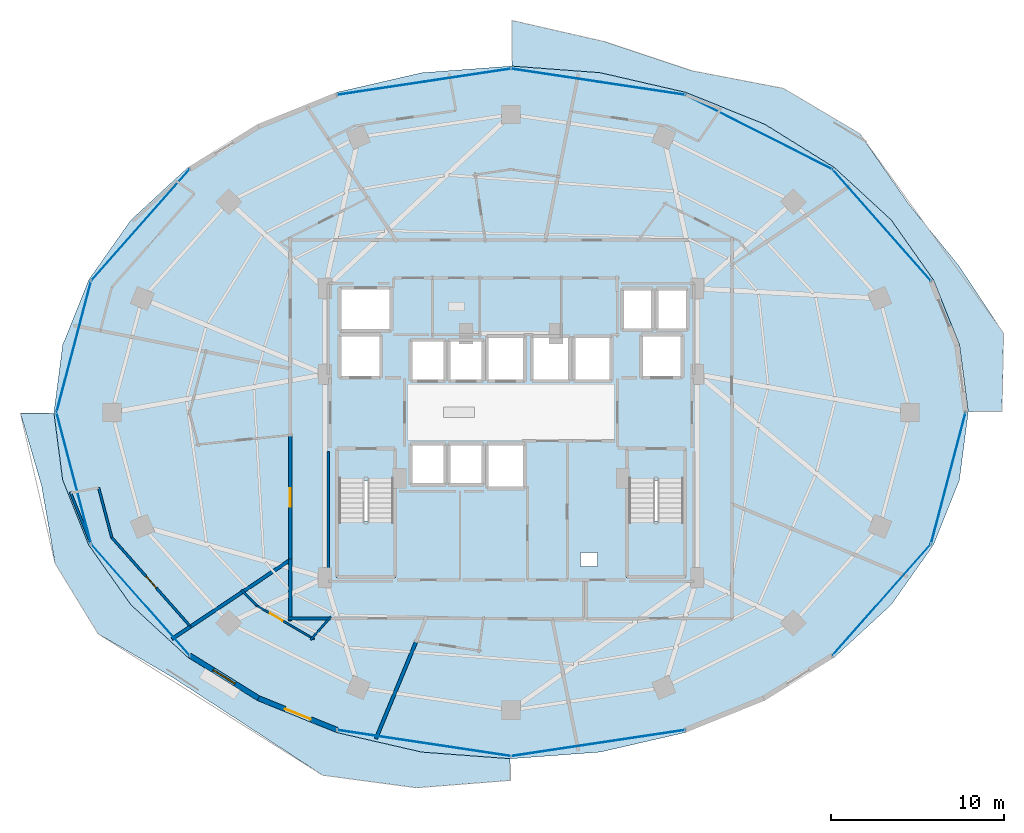
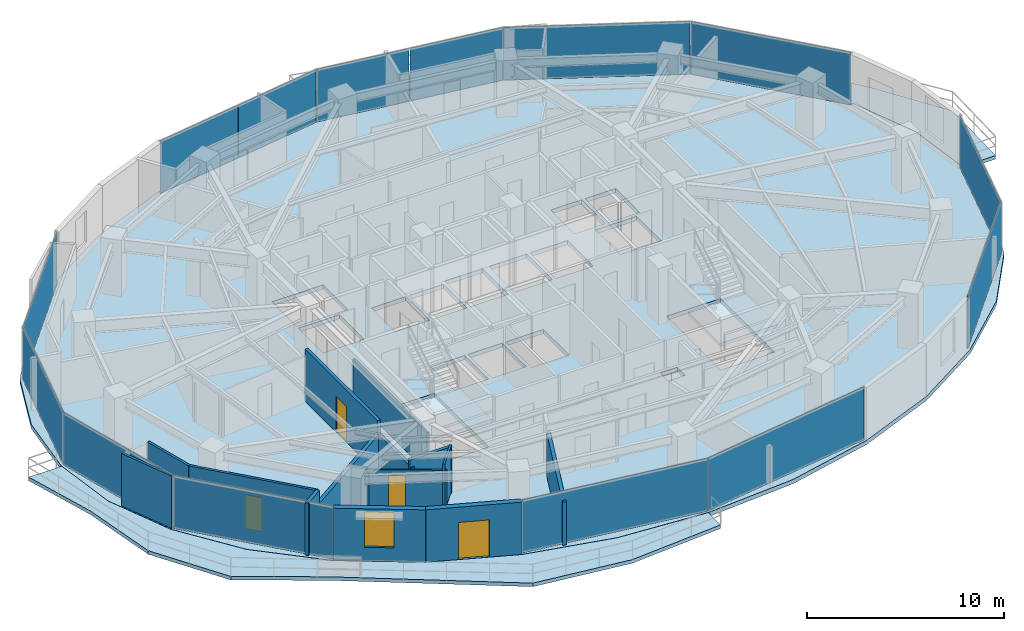
# One storey, part 21 of 29: 15 walls, 14 plates, 5 slabs, 4 doors, 1 window, 5 openings, 6 elements without a shape of their own.
"""IFC4 building model written with IfcOpenShell, lengths in metres."""

from ifc_helpers import new_model, si_unit, direction, frame, frame_2d, origin, origin_2d, place, context, subcontext, project, spatial, polyline, rectangle, outline, extrude, material, layer, layer_set, type_object, element, fill, aggregate, save


model = new_model("IFC4")

# Units and contexts
model_context = context("Model", 3, precision=1e-05, world=origin(), true_north=direction((0.0, 1.0)))
body_context = subcontext(model_context, "Body", "Model", "MODEL_VIEW")
ifc_project = project(units=[si_unit("LENGTHUNIT", "METRE"), si_unit("AREAUNIT", "SQUARE_METRE"), si_unit("VOLUMEUNIT", "CUBIC_METRE"), si_unit("PLANEANGLEUNIT", "RADIAN"), si_unit("MASSUNIT", "GRAM", prefix="KILO")], contexts=[model_context])

# Site, building, storey
site_placement = place(None, origin())
site = spatial("IfcSite", under=ifc_project, at=site_placement, CompositionType="ELEMENT")
building_placement = place(site_placement, origin())
building = spatial("IfcBuilding", under=site, at=building_placement, Name="Vorneva Point Tower", CompositionType="ELEMENT")
storey_placement = place(building_placement, frame((0.0, 0.0, 85.800048828125)))
storey = spatial("IfcBuildingStorey", under=building, at=storey_placement, Name="L22", CompositionType="ELEMENT", Elevation=85.800048828125)

# Curtain wall, plates
ifc_material_1 = material(Name="Pale anodised aluminium", Category="aluminium")
curtain_wall_type = type_object("IfcCurtainWallType", Name="CW-HTL-SYS", PredefinedType="NOTDEFINED", material=ifc_material_1)
curtain_wall_1_placement = place(storey_placement, origin())
curtain_wall_1 = element("IfcCurtainWall", 1, at=curtain_wall_1_placement, inside=storey, type_object=curtain_wall_type, Name="L22 Unitised Curtain Wall CW-L22-R01", PredefinedType="NOTDEFINED")
ifc_material_2 = material(Name="Double low-e laminated glass IGU", Category="glass")
ifc_layer_1 = layer(ifc_material_2, 0.035888671875)
ifc_layer_set_1 = layer_set([ifc_layer_1], Name="Double low-e laminated glass IGU")
plate_type = type_object("IfcPlateType", Name="CW-PNL-VIS", PredefinedType="CURTAIN_PANEL", material=ifc_layer_set_1)
plate_1_placement = place(storey_placement, frame((59.40673828125, 36.816162109375, -0.02001953125), z_axis=(0.0, 0.0, 1.0), x_axis=(-0.662149334693, 0.749371909379, 0.0)))
plate_1 = element("IfcPlate", 2, at=plate_1_placement, type_object=plate_type, Name="CW-L22-R01 Glazed Panel 01", PredefinedType="CURTAIN_PANEL", context=body_context, shape_type="SweptSolid", body=[
    extrude(rectangle(XDim=8.543701171875, YDim=0.035888671875, at=origin_2d()), origin(), (0.0, 0.0, 1.0), 3.280029296875),
])
plate_2_placement = place(storey_placement, frame((52.303466796875, 42.1875, -0.02001953125), z_axis=(0.0, 0.0, 1.0), x_axis=(-0.892538597772, 0.450971009585, 0.0)))
plate_2 = element("IfcPlate", 3, at=plate_2_placement, type_object=plate_type, Name="CW-L22-R01 Glazed Panel 02", PredefinedType="CURTAIN_PANEL", context=body_context, shape_type="SweptSolid", body=[
    extrude(rectangle(XDim=9.491455078125, YDim=0.035888671875, at=origin_2d()), origin(), (0.0, 0.0, 1.0), 3.280029296875),
])
plate_3_placement = place(storey_placement, frame((45.5341796875, 44.716796875, -0.02001953125), z_axis=(0.0, 0.0, 1.0), x_axis=(-0.988876117041, 0.148741470836, 0.0)))
plate_3 = element("IfcPlate", 4, at=plate_3_placement, type_object=plate_type, Name="CW-L22-R01 Glazed Panel 03A", PredefinedType="CURTAIN_PANEL", context=body_context, shape_type="SweptSolid", body=[
    extrude(rectangle(XDim=5.029296875, YDim=0.035888671875, at=origin_2d()), origin(), (0.0, 0.0, 1.0), 3.280029296875),
])
plate_4_placement = place(storey_placement, frame((40.511474609375, 45.472412109375, -0.02001953125), z_axis=(0.0, 0.0, 1.0), x_axis=(-0.988876117041, 0.148741470836, 0.0)))
plate_4 = element("IfcPlate", 5, at=plate_4_placement, type_object=plate_type, Name="CW-L22-R01 Glazed Panel 03B", PredefinedType="CURTAIN_PANEL", context=body_context, shape_type="SweptSolid", body=[
    extrude(rectangle(XDim=5.029296875, YDim=0.035888671875, at=origin_2d()), origin(), (0.0, 0.0, 1.0), 3.280029296875),
])
plate_5_placement = place(storey_placement, frame((35.488525390625, 45.472412109375, -0.02001953125), z_axis=(0.0, 0.0, 1.0), x_axis=(-0.988876117041, -0.148741470836, 0.0)))
plate_5 = element("IfcPlate", 6, at=plate_5_placement, type_object=plate_type, Name="CW-L22-R01 Glazed Panel 04A", PredefinedType="CURTAIN_PANEL", context=body_context, shape_type="SweptSolid", body=[
    extrude(rectangle(XDim=5.029296875, YDim=0.035888671875, at=origin_2d()), origin(), (0.0, 0.0, 1.0), 3.280029296875),
])
plate_6_placement = place(storey_placement, frame((30.4658203125, 44.716796875, -0.02001953125), z_axis=(0.0, 0.0, 1.0), x_axis=(-0.988876117041, -0.148741470836, 0.0)))
plate_6 = element("IfcPlate", 7, at=plate_6_placement, type_object=plate_type, Name="CW-L22-R01 Glazed Panel 04B", PredefinedType="CURTAIN_PANEL", context=body_context, shape_type="SweptSolid", body=[
    extrude(rectangle(XDim=5.029296875, YDim=0.035888671875, at=origin_2d()), origin(), (0.0, 0.0, 1.0), 3.280029296875),
])
aggregate(curtain_wall_1, [plate_1, plate_2, plate_3, plate_4, plate_5, plate_6])

curtain_wall_2_placement = place(storey_placement, origin())
curtain_wall_2 = element("IfcCurtainWall", 8, at=curtain_wall_2_placement, inside=storey, type_object=curtain_wall_type, Name="L22 Unitised Curtain Wall CW-L22-R02", PredefinedType="NOTDEFINED")
plate_7_placement = place(storey_placement, frame((16.59326171875, 36.816162109375, -0.02001953125), z_axis=(0.0, 0.0, 1.0), x_axis=(-0.662149334693, -0.749371909379, 0.0)))
plate_7 = element("IfcPlate", 9, at=plate_7_placement, type_object=plate_type, Name="CW-L22-R02 Glazed Panel 01", PredefinedType="CURTAIN_PANEL", context=body_context, shape_type="SweptSolid", body=[
    extrude(rectangle(XDim=8.543701171875, YDim=0.035888671875, at=origin_2d()), origin(), (0.0, 0.0, 1.0), 3.280029296875),
])
plate_8_placement = place(storey_placement, frame((12.7490234375, 29.798095703125, -0.02001953125), z_axis=(0.0, 0.0, 1.0), x_axis=(-0.254399404995, -0.967099241411, 0.0)))
plate_8 = element("IfcPlate", 10, at=plate_8_placement, type_object=plate_type, Name="CW-L22-R02 Glazed Panel 02", PredefinedType="CURTAIN_PANEL", context=body_context, shape_type="SweptSolid", body=[
    extrude(rectangle(XDim=7.8046875, YDim=0.035888671875, at=origin_2d()), origin(), (0.0, 0.0, 1.0), 3.280029296875),
])
plate_9_placement = place(storey_placement, frame((12.7490234375, 22.201904296875, -0.02001953125), z_axis=(0.0, 0.0, 1.0), x_axis=(0.254399404995, -0.967099241411, 0.0)))
plate_9 = element("IfcPlate", 11, at=plate_9_placement, type_object=plate_type, Name="CW-L22-R02 Glazed Panel 03", PredefinedType="CURTAIN_PANEL", context=body_context, shape_type="SweptSolid", body=[
    extrude(rectangle(XDim=7.8046875, YDim=0.035888671875, at=origin_2d()), origin(), (0.0, 0.0, 1.0), 3.280029296875),
])
plate_10_placement = place(storey_placement, frame((16.59326171875, 15.183837890625, -0.02001953125), z_axis=(0.0, 0.0, 1.0), x_axis=(0.662149334693, -0.749371909379, 0.0)))
plate_10 = element("IfcPlate", 12, at=plate_10_placement, type_object=plate_type, Name="CW-L22-R02 Glazed Panel 04", PredefinedType="CURTAIN_PANEL", context=body_context, shape_type="SweptSolid", body=[
    extrude(rectangle(XDim=8.543701171875, YDim=0.035888671875, at=origin_2d()), origin(), (0.0, 0.0, 1.0), 3.280029296875),
])
aggregate(curtain_wall_2, [plate_7, plate_8, plate_9, plate_10])

curtain_wall_3_placement = place(storey_placement, origin())
curtain_wall_3 = element("IfcCurtainWall", 13, at=curtain_wall_3_placement, inside=storey, type_object=curtain_wall_type, Name="L22 Unitised Curtain Wall CW-L22-R03", PredefinedType="NOTDEFINED")
plate_11_placement = place(storey_placement, frame((32.977294921875, 6.905517578125, -0.02001953125), z_axis=(0.0, 0.0, 1.0), x_axis=(0.988876117041, -0.148741470836, 0.0)))
plate_11 = element("IfcPlate", 14, at=plate_11_placement, type_object=plate_type, Name="CW-L22-R03 Glazed Panel 01", PredefinedType="CURTAIN_PANEL", context=body_context, shape_type="SweptSolid", body=[
    extrude(rectangle(XDim=10.1083984375, YDim=0.035888671875, at=origin_2d()), origin(), (0.0, 0.0, 1.0), 3.280029296875),
])
plate_12_placement = place(storey_placement, frame((43.022705078125, 6.905517578125, -0.02001953125), z_axis=(0.0, 0.0, 1.0), x_axis=(0.988876117041, 0.148741470836, 0.0)))
plate_12 = element("IfcPlate", 15, at=plate_12_placement, type_object=plate_type, Name="CW-L22-R03 Glazed Panel 02", PredefinedType="CURTAIN_PANEL", context=body_context, shape_type="SweptSolid", body=[
    extrude(rectangle(XDim=10.1083984375, YDim=0.035888671875, at=origin_2d()), origin(), (0.0, 0.0, 1.0), 3.280029296875),
])
aggregate(curtain_wall_3, [plate_11, plate_12])

curtain_wall_4_placement = place(storey_placement, origin())
curtain_wall_4 = element("IfcCurtainWall", 16, at=curtain_wall_4_placement, inside=storey, type_object=curtain_wall_type, Name="L22 Unitised Curtain Wall CW-L22-R04", PredefinedType="NOTDEFINED")
plate_13_placement = place(storey_placement, frame((59.40673828125, 15.183837890625, -0.02001953125), z_axis=(0.0, 0.0, 1.0), x_axis=(0.662149334693, 0.749371909379, 0.0)))
plate_13 = element("IfcPlate", 17, at=plate_13_placement, type_object=plate_type, Name="CW-L22-R04 Glazed Panel 01", PredefinedType="CURTAIN_PANEL", context=body_context, shape_type="SweptSolid", body=[
    extrude(rectangle(XDim=8.543701171875, YDim=0.035888671875, at=origin_2d()), origin(), (0.0, 0.0, 1.0), 3.280029296875),
])
plate_14_placement = place(storey_placement, frame((63.2509765625, 22.201904296875, -0.02001953125), z_axis=(0.0, 0.0, 1.0), x_axis=(0.254399404995, 0.967099241411, 0.0)))
plate_14 = element("IfcPlate", 18, at=plate_14_placement, type_object=plate_type, Name="CW-L22-R04 Glazed Panel 02", PredefinedType="CURTAIN_PANEL", context=body_context, shape_type="SweptSolid", body=[
    extrude(rectangle(XDim=7.8046875, YDim=0.035888671875, at=origin_2d()), origin(), (0.0, 0.0, 1.0), 3.280029296875),
])
aggregate(curtain_wall_4, [plate_13, plate_14])

# Slabs
ifc_material_3 = material(Name="Concrete B50 (C40/50)", Category="concrete")
ifc_layer_2 = layer(ifc_material_3, 0.219970703125)
ifc_layer_set_2 = layer_set([ifc_layer_2], Name="Concrete B50 (C40/50)")
slab_type_1 = type_object("IfcSlabType", Name="SLB-BAL-220", PredefinedType="FLOOR", material=ifc_layer_set_2)
slab_1_placement = place(storey_placement, frame((0.0, 0.0, -0.219970703125)))
element("IfcSlab", 19, at=slab_1_placement, inside=storey, type_object=slab_type_1, Name="L22 Cantilevered Wave Balcony NE", PredefinedType="FLOOR", context=body_context, shape_type="SweptSolid", body=[
    extrude(outline(polyline([(38.050048828125, 48.638671875), (38.050048828125, 46.000244140625), (43.150634765625, 45.61962890625), (43.15087890625, 45.61962890625), (43.1513671875, 45.61962890625), (48.103759765625, 44.4814453125), (48.10400390625, 44.4814453125), (48.104248046875, 44.481201171875), (52.668701171875, 42.633056640625), (52.6689453125, 42.633056640625), (52.669189453125, 42.6328125), (56.669677734375, 40.1455078125), (56.669921875, 40.145263671875), (56.67041015625, 40.14501953125), (59.95361328125, 37.1142578125), (59.953857421875, 37.114013671875), (59.9541015625, 37.11376953125), (62.393798828125, 33.656005859375), (62.393798828125, 33.655517578125), (62.39404296875, 33.6552734375), (63.896484375, 29.9033203125), (63.896484375, 29.903076171875), (63.896484375, 29.902587890625), (63.896728515625, 29.90234375), (64.3974609375, 26.050048828125), (66.35107421875, 26.050048828125), (66.44287109375, 30.5712890625), (63.8662109375, 34.460693359375), (60.976806640625, 38.016357421875), (58.14404296875, 42.091064453125), (53.723388671875, 44.71630859375), (48.4931640625, 45.72119140625), (43.420654296875, 47.408935546875), (38.050048828125, 48.638671875)])), origin(), (0.0, 0.0, 1.0), 0.219970703125),
])
slab_2_placement = place(storey_placement, frame((0.0, 0.0, -0.219970703125)))
element("IfcSlab", 20, at=slab_2_placement, inside=storey, type_object=slab_type_1, Name="L22 Cantilevered Wave Balcony SW", PredefinedType="FLOOR", context=body_context, shape_type="SweptSolid", body=[
    extrude(outline(polyline([(37.949951171875, 4.74609375), (37.949951171875, 5.999755859375), (32.849365234375, 6.38037109375), (32.84912109375, 6.38037109375), (32.8486328125, 6.38037109375), (27.896240234375, 7.5185546875), (27.89599609375, 7.5185546875), (27.895751953125, 7.518798828125), (23.331298828125, 9.366943359375), (23.3310546875, 9.366943359375), (23.330810546875, 9.3671875), (19.330322265625, 11.8544921875), (19.330078125, 11.854736328125), (19.32958984375, 11.85498046875), (16.04638671875, 14.8857421875), (16.046142578125, 14.885986328125), (16.0458984375, 14.88623046875), (13.606201171875, 18.343994140625), (13.606201171875, 18.344482421875), (13.60595703125, 18.3447265625), (12.103515625, 22.0966796875), (12.103515625, 22.096923828125), (12.103515625, 22.097412109375), (12.103271484375, 22.09765625), (11.6025390625, 25.949951171875), (9.66455078125, 25.949951171875), (10.88525390625, 21.77734375), (11.66357421875, 17.2822265625), (14.150390625, 13.213623046875), (18.453857421875, 10.697998046875), (22.6279296875, 7.977783203125), (27.11962890625, 5.044921875), (32.538818359375, 4.321044921875), (37.949951171875, 4.74609375)])), origin(), (0.0, 0.0, 1.0), 0.219970703125),
])

# Stair, slab
stair_type = type_object("IfcStairType", Name="ST-DOG-1500", PredefinedType="HALF_TURN_STAIR", material=ifc_material_3)
stair_1_placement = place(storey_placement, origin())
stair_1 = element("IfcStair", 21, at=stair_1_placement, inside=storey, type_object=stair_type, Name="L22 ST1", PredefinedType="HALF_TURN_STAIR")
ifc_layer_3 = layer(ifc_material_3, 0.199951171875)
ifc_layer_set_3 = layer_set([ifc_layer_3], Name="Concrete B50 (C40/50)")
slab_type_2 = type_object("IfcSlabType", Name="SLB-LND-200", PredefinedType="LANDING", material=ifc_layer_set_3)
slab_3_placement = place(storey_placement, frame((0.0, 0.0, 1.550048828125)))
slab_3 = element("IfcSlab", 22, at=slab_3_placement, type_object=slab_type_2, Name="ST1 landing 1", PredefinedType="LANDING", context=body_context, shape_type="SweptSolid", body=[
    extrude(outline(polyline([(27.929931640625, 16.47998046875), (31.320068359375, 16.47998046875), (31.320068359375, 19.72998046875), (27.929931640625, 19.72998046875), (27.929931640625, 16.47998046875)])), origin(), (0.0, 0.0, 1.0), 0.199951171875),
])
aggregate(stair_1, [slab_3])

stair_2_placement = place(storey_placement, origin())
stair_2 = element("IfcStair", 23, at=stair_2_placement, inside=storey, type_object=stair_type, Name="L22 ST2", PredefinedType="HALF_TURN_STAIR")
slab_4_placement = place(storey_placement, frame((0.0, 0.0, 1.550048828125)))
slab_4 = element("IfcSlab", 24, at=slab_4_placement, type_object=slab_type_2, Name="ST2 landing 1", PredefinedType="LANDING", context=body_context, shape_type="SweptSolid", body=[
    extrude(outline(polyline([(44.679931640625, 16.47998046875), (48.070068359375, 16.47998046875), (48.070068359375, 19.72998046875), (44.679931640625, 19.72998046875), (44.679931640625, 16.47998046875)])), origin(), (0.0, 0.0, 1.0), 0.199951171875),
])
aggregate(stair_2, [slab_4])

# Slab
ifc_layer_4 = layer(ifc_material_3, 0.260009765625)
ifc_layer_set_4 = layer_set([ifc_layer_4], Name="Concrete B50 (C40/50)")
slab_type_3 = type_object("IfcSlabType", Name="SLB-TYP-260", PredefinedType="FLOOR", material=ifc_layer_set_4)
slab_5_placement = place(storey_placement, frame((0.0, 0.0, -0.260009765625)))
element("IfcSlab", 25, at=slab_5_placement, inside=storey, type_object=slab_type_3, Name="L22 Structural Floor Plate", PredefinedType="FLOOR", context=body_context, shape_type="SweptSolid", body=[
    extrude(outline(polyline([(64.39990234375, 26.0), (63.892578125, 29.90185546875), (62.390380859375, 33.65380859375), (59.95068359375, 37.111328125), (56.66748046875, 40.14208984375), (52.6669921875, 42.62939453125), (48.102783203125, 44.4775390625), (43.150390625, 45.61572265625), (38.0, 46.0), (32.849609375, 45.61572265625), (27.897216796875, 44.4775390625), (23.3330078125, 42.62939453125), (19.33251953125, 40.14208984375), (16.04931640625, 37.111328125), (13.609619140625, 33.65380859375), (12.107421875, 29.90185546875), (11.60009765625, 26.0), (12.107421875, 22.09814453125), (13.609619140625, 18.34619140625), (16.04931640625, 14.888671875), (19.33251953125, 11.85791015625), (23.3330078125, 9.37060546875), (27.897216796875, 7.5224609375), (32.849609375, 6.38427734375), (38.0, 6.0), (43.150390625, 6.38427734375), (48.102783203125, 7.5224609375), (52.6669921875, 9.37060546875), (56.66748046875, 11.85791015625), (59.95068359375, 14.888671875), (62.390380859375, 18.34619140625), (63.892578125, 22.09814453125), (64.39990234375, 26.0)]), holes=[polyline([(32.199951171875, 27.800048828125), (34.199951171875, 27.800048828125), (34.199951171875, 30.199951171875), (32.199951171875, 30.199951171875), (32.199951171875, 27.800048828125)]), polyline([(34.39990234375, 27.800048828125), (36.39990234375, 27.800048828125), (36.39990234375, 30.199951171875), (34.39990234375, 30.199951171875), (34.39990234375, 27.800048828125)]), polyline([(36.60009765625, 27.800048828125), (38.800048828125, 27.800048828125), (38.800048828125, 30.39990234375), (36.60009765625, 30.39990234375), (36.60009765625, 27.800048828125)]), polyline([(32.199951171875, 21.800048828125), (34.199951171875, 21.800048828125), (34.199951171875, 24.199951171875), (32.199951171875, 24.199951171875), (32.199951171875, 21.800048828125)]), polyline([(34.39990234375, 21.800048828125), (36.39990234375, 21.800048828125), (36.39990234375, 24.199951171875), (34.39990234375, 24.199951171875), (34.39990234375, 21.800048828125)]), polyline([(36.60009765625, 21.60009765625), (38.800048828125, 21.60009765625), (38.800048828125, 24.199951171875), (36.60009765625, 24.199951171875), (36.60009765625, 21.60009765625)]), polyline([(39.199951171875, 27.800048828125), (41.39990234375, 27.800048828125), (41.39990234375, 30.39990234375), (39.199951171875, 30.39990234375), (39.199951171875, 27.800048828125)]), polyline([(41.60009765625, 27.800048828125), (43.800048828125, 27.800048828125), (43.800048828125, 30.39990234375), (41.60009765625, 30.39990234375), (41.60009765625, 27.800048828125)]), polyline([(44.39990234375, 30.739990234375), (46.199951171875, 30.739990234375), (46.199951171875, 33.159912109375), (44.39990234375, 33.159912109375), (44.39990234375, 30.739990234375)]), polyline([(46.39990234375, 30.739990234375), (48.199951171875, 30.739990234375), (48.199951171875, 33.159912109375), (46.39990234375, 33.159912109375), (46.39990234375, 30.739990234375)]), polyline([(28.10009765625, 28.0), (30.5, 28.0), (30.5, 30.5), (28.10009765625, 30.5), (28.10009765625, 28.0)]), polyline([(45.5, 28.0), (47.89990234375, 28.0), (47.89990234375, 30.5), (45.5, 30.5), (45.5, 28.0)]), polyline([(28.10009765625, 30.699951171875), (31.10009765625, 30.699951171875), (31.10009765625, 33.199951171875), (28.10009765625, 33.199951171875), (28.10009765625, 30.699951171875)]), polyline([(28.050048828125, 16.60009765625), (31.199951171875, 16.60009765625), (31.199951171875, 22.080078125), (28.050048828125, 22.080078125), (28.050048828125, 16.60009765625)]), polyline([(44.800048828125, 16.60009765625), (47.949951171875, 16.60009765625), (47.949951171875, 22.080078125), (44.800048828125, 22.080078125), (44.800048828125, 16.60009765625)]), polyline([(42.0, 17.10009765625), (43.0, 17.10009765625), (43.0, 17.89990234375), (42.0, 17.89990234375), (42.0, 17.10009765625)])]), origin(), (0.0, 0.0, 1.0), 0.260009765625),
])

# Wall, opening, window
ifc_material_4 = material(Name="Precast concrete B50 (C40/50)", Category="concrete")
ifc_layer_5 = layer(ifc_material_4, 0.300048828125)
ifc_layer_set_5 = layer_set([ifc_layer_5], Name="Precast concrete B50 (C40/50)")
wall_type_1 = type_object("IfcWallType", Name="WL-EXT-300", PredefinedType="STANDARD", material=ifc_layer_set_5)
wall_1_placement = place(storey_placement, frame((19.4384765625, 11.9638671875, 0.0), z_axis=(0.0, 0.0, 1.0), x_axis=(0.849684479743, -0.527291461038, 0.0)))
wall_1 = element("IfcWall", 26, at=wall_1_placement, inside=storey, type_object=wall_type_1, Name="L22 Pale-Metal Facade Spandrel Wall 11.1", PredefinedType="STANDARD", context=body_context, shape_type="SweptSolid", body=[
    extrude(rectangle(XDim=4.681396484375, YDim=0.300048828125, at=frame_2d((2.3408203125, 0.0))), origin(), (0.0, 0.0, 1.0), 3.239990234375),
])
opening_1_placement = place(wall_1_placement, frame((1.5908203125, 0.0, 0.85009765625)))
opening_1 = element("IfcOpeningElement", 27, at=opening_1_placement, cuts=wall_1, Name="Opening W-02", PredefinedType="OPENING", context=body_context, shape_type="SweptSolid", body=[
    extrude(rectangle(XDim=1.5, YDim=2.18994140625, at=frame_2d((0.75, 1.094970703125))), frame((0.0, 0.1650390625, 0.0), z_axis=(0.0, -1.0, 0.0), x_axis=(1.0, 0.0, 0.0)), (0.0, 0.0, 1.0), 0.329833984375),
])
window_type = type_object("IfcWindowType", Name="WN-HTL-1500", PartitioningType="SINGLE_PANEL", PredefinedType="WINDOW", material=ifc_material_2)
window_placement = place(opening_1_placement, origin())
window = element("IfcWindow", 28, at=window_placement, inside=storey, type_object=window_type, Name="L22 Facade Window 11", OverallHeight=2.18994140625, OverallWidth=1.5, PartitioningType="SINGLE_PANEL", PredefinedType="WINDOW", context=body_context, shape_type="SweptSolid", body=[
    extrude(rectangle(XDim=1.5, YDim=2.18994140625, at=frame_2d((0.75, 1.094970703125))), frame((0.0, 0.030029296875, 0.0), z_axis=(0.0, -1.0, 0.0), x_axis=(1.0, 0.0, 0.0)), (0.0, 0.0, 1.0), 0.06005859375),
])
fill(opening_1, window)

# Wall, opening, door
wall_2_placement = place(storey_placement, frame((23.416259765625, 9.495361328125, 0.0), z_axis=(0.0, 0.0, 1.0), x_axis=(0.927122233109, -0.374759075775, 0.0)))
wall_2 = element("IfcWall", 29, at=wall_2_placement, inside=storey, type_object=wall_type_1, Name="L22 Pale-Metal Facade Spandrel Wall 11.2", PredefinedType="STANDARD", context=body_context, shape_type="SweptSolid", body=[
    extrude(rectangle(XDim=4.89501953125, YDim=0.300048828125, at=frame_2d((2.447509765625, 0.0))), origin(), (0.0, 0.0, 1.0), 3.239990234375),
])
opening_2_placement = place(wall_2_placement, frame((1.6474609375, 0.0, 0.0)))
opening_2 = element("IfcOpeningElement", 30, at=opening_2_placement, cuts=wall_2, Name="Opening BD-01", PredefinedType="OPENING", context=body_context, shape_type="SweptSolid", body=[
    extrude(rectangle(XDim=1.60009765625, YDim=2.300048828125, at=frame_2d((0.800048828125, 1.14990234375))), frame((0.0, 0.1650390625, 0.0), z_axis=(0.0, -1.0, 0.0), x_axis=(1.0, 0.0, 0.0)), (0.0, 0.0, 1.0), 0.329833984375),
])
door_type_1 = type_object("IfcDoorType", Name="DR-BAL-1600", OperationType="SLIDING_TO_LEFT", PredefinedType="DOOR", material=ifc_material_1)
door_1_placement = place(opening_2_placement, origin())
door_1 = element("IfcDoor", 31, at=door_1_placement, inside=storey, type_object=door_type_1, Name="L22 Balcony Terrace Access Door 11", OperationType="SLIDING_TO_LEFT", OverallHeight=2.300048828125, OverallWidth=1.60009765625, PredefinedType="DOOR", context=body_context, shape_type="SweptSolid", body=[
    extrude(rectangle(XDim=1.60009765625, YDim=2.300048828125, at=frame_2d((0.800048828125, 1.14990234375))), frame((0.0, 0.02490234375, 0.0), z_axis=(0.0, -1.0, 0.0), x_axis=(1.0, 0.0, 0.0)), (0.0, 0.0, 1.0), 0.050048828125),
])
fill(opening_2, door_1)

# Wall
ifc_material_5 = material(Name="Fire-rated acoustic gypsum stud partition", Category="gypsum")
ifc_layer_6 = layer(ifc_material_5, 0.110107421875)
ifc_layer_set_6 = layer_set([ifc_layer_6], Name="Fire-rated acoustic gypsum stud partition")
wall_type_2 = type_object("IfcWallType", Name="WL-PART-110", PredefinedType="PARTITIONING", material=ifc_layer_set_6)
wall_3_placement = place(storey_placement, frame((27.6015625, 14.205078125, 0.0), z_axis=(0.0, 0.0, 1.0), x_axis=(-0.661454172329, -0.749985585134, 0.0)))
element("IfcWall", 32, at=wall_3_placement, inside=storey, type_object=wall_type_2, Name="L22 Interior Partition 083", PredefinedType="PARTITIONING", context=body_context, shape_type="SweptSolid", body=[
    extrude(rectangle(XDim=1.7841796875, YDim=0.110107421875, at=frame_2d((0.89208984375, 0.0))), origin(), (0.0, 0.0, 1.0), 2.8740234375),
])

# Wall, opening, door
wall_4_placement = place(storey_placement, frame((26.634765625, 12.9013671875, 0.0), z_axis=(0.0, 0.0, 1.0), x_axis=(-0.863173900656, 0.504906741117, 0.0)))
wall_4 = element("IfcWall", 33, at=wall_4_placement, inside=storey, type_object=wall_type_2, Name="L22 Interior Partition 084", PredefinedType="PARTITIONING", context=body_context, shape_type="SweptSolid", body=[
    extrude(rectangle(XDim=3.955810546875, YDim=0.110107421875, at=frame_2d((1.97802734375, 0.0))), origin(), (0.0, 0.0, 1.0), 2.431884765625),
])
opening_3_placement = place(wall_4_placement, frame((2.11279296875, 0.0, 0.0)))
opening_3 = element("IfcOpeningElement", 34, at=opening_3_placement, cuts=wall_4, Name="Opening ID-02", PredefinedType="OPENING", context=body_context, shape_type="SweptSolid", body=[
    extrude(rectangle(XDim=0.85009765625, YDim=2.10009765625, at=frame_2d((0.425048828125, 1.050048828125))), frame((0.0, 0.06982421875, 0.0), z_axis=(0.0, -1.0, 0.0), x_axis=(1.0, 0.0, 0.0)), (0.0, 0.0, 1.0), 0.139892578125),
])
ifc_material_6 = material(Name="Engineered oak fire-rated door leaf", Category="wood")
door_type_2 = type_object("IfcDoorType", Name="DR-BATH-850", OperationType="NOTDEFINED", PredefinedType="DOOR", material=ifc_material_6)
door_2_placement = place(opening_3_placement, origin())
door_2 = element("IfcDoor", 35, at=door_2_placement, inside=storey, type_object=door_type_2, Name="L22 Door Deluxe Guest Room L22-05 / En-Suite Bathroom L22-05", OperationType="SINGLE_SWING_LEFT", OverallHeight=2.10009765625, OverallWidth=0.85009765625, PredefinedType="DOOR", context=body_context, shape_type="SweptSolid", body=[
    extrude(rectangle(XDim=0.85009765625, YDim=2.10009765625, at=frame_2d((0.425048828125, 1.050048828125))), frame((0.0, 0.02490234375, 0.0), z_axis=(0.0, -1.0, 0.0), x_axis=(1.0, 0.0, 0.0)), (0.0, 0.0, 1.0), 0.050048828125),
])
fill(opening_3, door_2)

# Walls
wall_5_placement = place(storey_placement, frame((23.337890625, 14.831298828125, 0.0), z_axis=(0.0, 0.0, 1.0), x_axis=(-0.709817225963, 0.70438590682, 0.0)))
element("IfcWall", 36, at=wall_5_placement, inside=storey, type_object=wall_type_2, Name="L22 Interior Partition 085", PredefinedType="PARTITIONING", context=body_context, shape_type="SweptSolid", body=[
    extrude(rectangle(XDim=1.303466796875, YDim=0.110107421875, at=frame_2d((0.65185546875, 0.0))), origin(), (0.0, 0.0, 1.0), 2.431884765625),
])
ifc_layer_7 = layer(ifc_material_5, 0.139892578125)
ifc_layer_set_7 = layer_set([ifc_layer_7], Name="Fire-rated acoustic gypsum stud partition")
wall_type_3 = type_object("IfcWallType", Name="WL-PART-140", PredefinedType="PARTITIONING", material=ifc_layer_set_7)
wall_6_placement = place(storey_placement, frame((12.5439453125, 21.410888671875, 0.0), z_axis=(0.0, 0.0, 1.0), x_axis=(0.371612636283, -0.928387876135, 0.0)))
element("IfcWall", 37, at=wall_6_placement, inside=storey, type_object=wall_type_3, Name="L22 Interior Partition 077", PredefinedType="PARTITIONING", context=body_context, shape_type="SweptSolid", body=[
    extrude(rectangle(XDim=3.223876953125, YDim=0.139892578125, at=frame_2d((1.61181640625, 0.0))), origin(), (0.0, 0.0, 1.0), 3.239990234375),
])
wall_7_placement = place(storey_placement, frame((14.18408203125, 21.64990234375, 0.0), z_axis=(0.0, 0.0, 1.0), x_axis=(0.254347718415, -0.9671128363, 0.0)))
element("IfcWall", 38, at=wall_7_placement, inside=storey, type_object=wall_type_3, Name="L22 Interior Partition 079", PredefinedType="PARTITIONING", context=body_context, shape_type="SweptSolid", body=[
    extrude(rectangle(XDim=2.9716796875, YDim=0.139892578125, at=frame_2d((1.48583984375, 0.0))), origin(), (0.0, 0.0, 1.0), 3.239990234375),
])

# Wall, opening, door
wall_8_placement = place(storey_placement, frame((14.93994140625, 18.77587890625, 0.0), z_axis=(0.0, 0.0, 1.0), x_axis=(0.662156478246, -0.749365597233, 0.0)))
wall_8 = element("IfcWall", 39, at=wall_8_placement, inside=storey, type_object=wall_type_3, Name="L22 Interior Partition 080", PredefinedType="PARTITIONING", context=body_context, shape_type="SweptSolid", body=[
    extrude(rectangle(XDim=6.8671875, YDim=0.139892578125, at=frame_2d((3.43359375, 0.0))), origin(), (0.0, 0.0, 1.0), 3.239990234375),
])
opening_4_placement = place(wall_8_placement, frame((2.9833984375, 0.0, 0.0)))
opening_4 = element("IfcOpeningElement", 40, at=opening_4_placement, cuts=wall_8, Name="Opening ID-01", PredefinedType="OPENING", context=body_context, shape_type="SweptSolid", body=[
    extrude(rectangle(XDim=0.89990234375, YDim=2.10009765625, at=frame_2d((0.449951171875, 1.050048828125))), frame((0.0, 0.0849609375, 0.0), z_axis=(0.0, -1.0, 0.0), x_axis=(1.0, 0.0, 0.0)), (0.0, 0.0, 1.0), 0.169677734375),
])
door_type_3 = type_object("IfcDoorType", Name="DR-ROOM-900", OperationType="NOTDEFINED", PredefinedType="DOOR", material=ifc_material_6)
door_3_placement = place(opening_4_placement, origin())
door_3 = element("IfcDoor", 41, at=door_3_placement, inside=storey, type_object=door_type_3, Name="L22 Door Corner Suite L22-04 / Suite Sitting Study L22-04", OperationType="SINGLE_SWING_RIGHT", OverallHeight=2.10009765625, OverallWidth=0.89990234375, PredefinedType="DOOR", context=body_context, shape_type="SweptSolid", body=[
    extrude(rectangle(XDim=0.89990234375, YDim=2.10009765625, at=frame_2d((0.449951171875, 1.050048828125))), frame((0.0, 0.02490234375, 0.0), z_axis=(0.0, -1.0, 0.0), x_axis=(1.0, 0.0, 0.0)), (0.0, 0.0, 1.0), 0.050048828125),
])
fill(opening_4, door_3)

# Wall
wall_9_placement = place(storey_placement, frame((27.449951171875, 16.239990234375, 0.0), z_axis=(0.0, 0.0, 1.0), x_axis=(0.0, 1.0, 0.0)))
element("IfcWall", 42, at=wall_9_placement, inside=storey, type_object=wall_type_3, Name="L22 Interior Closure Partition 106", PredefinedType="PARTITIONING", context=body_context, shape_type="SweptSolid", body=[
    extrude(rectangle(XDim=7.513916015625, YDim=0.139892578125, at=frame_2d((3.7568359375, 0.0))), origin(), (0.0, 0.0, 1.0), 2.431884765625),
])

# Wall, opening, door
ifc_material_7 = material(Name="Autoclaved aerated concrete blockwork", Category="masonry")
ifc_layer_8 = layer(ifc_material_7, 0.179931640625)
ifc_layer_set_8 = layer_set([ifc_layer_8], Name="Autoclaved aerated concrete blockwork")
wall_type_4 = type_object("IfcWallType", Name="WL-PART-180", PredefinedType="PARTITIONING", material=ifc_layer_set_8)
wall_10_placement = place(storey_placement, frame((25.25, 24.75390625, 0.0), z_axis=(0.0, 0.0, 1.0), x_axis=(0.0, -1.0, 0.0)))
wall_10 = element("IfcWall", 43, at=wall_10_placement, inside=storey, type_object=wall_type_4, Name="L22 Interior Partition 032", PredefinedType="PARTITIONING", context=body_context, shape_type="SweptSolid", body=[
    extrude(rectangle(XDim=7.344970703125, YDim=0.179931640625, at=frame_2d((3.67236328125, 0.0))), origin(), (0.0, 0.0, 1.0), 3.239990234375),
])
opening_5_placement = place(wall_10_placement, frame((3.1474609375, 0.0, 0.0)))
opening_5 = element("IfcOpeningElement", 44, at=opening_5_placement, cuts=wall_10, Name="Opening UD-02", PredefinedType="OPENING", context=body_context, shape_type="SweptSolid", body=[
    extrude(rectangle(XDim=1.050048828125, YDim=2.199951171875, at=frame_2d((0.52490234375, 1.10009765625))), frame((0.0, 0.10498046875, 0.0), z_axis=(0.0, -1.0, 0.0), x_axis=(1.0, 0.0, 0.0)), (0.0, 0.0, 1.0), 0.209716796875),
])
door_type_4 = type_object("IfcDoorType", Name="DR-SUITE-1050", OperationType="NOTDEFINED", PredefinedType="DOOR", material=ifc_material_6)
door_4_placement = place(opening_5_placement, origin())
door_4 = element("IfcDoor", 45, at=door_4_placement, inside=storey, type_object=door_type_4, Name="L22 Door L22 Circulation Corridor / Corner Suite L22-04", OperationType="SINGLE_SWING_RIGHT", OverallHeight=2.199951171875, OverallWidth=1.050048828125, PredefinedType="DOOR", context=body_context, shape_type="SweptSolid", body=[
    extrude(rectangle(XDim=1.050048828125, YDim=2.199951171875, at=frame_2d((0.52490234375, 1.10009765625))), frame((0.0, 0.02490234375, 0.0), z_axis=(0.0, -1.0, 0.0), x_axis=(1.0, 0.0, 0.0)), (0.0, 0.0, 1.0), 0.050048828125),
])
fill(opening_5, door_4)

# Walls
wall_11_placement = place(storey_placement, frame((25.25, 17.549072265625, 0.0), z_axis=(0.0, 0.0, 1.0), x_axis=(0.0, -1.0, 0.0)))
element("IfcWall", 46, at=wall_11_placement, inside=storey, type_object=wall_type_4, Name="L22 Interior Partition 035", PredefinedType="PARTITIONING", context=body_context, shape_type="SweptSolid", body=[
    extrude(rectangle(XDim=3.589111328125, YDim=0.179931640625, at=frame_2d((1.79443359375, 0.0))), origin(), (0.0, 0.0, 1.0), 2.431884765625),
])
wall_12_placement = place(storey_placement, frame((25.110107421875, 14.10009765625, 0.0), z_axis=(0.0, 0.0, 1.0), x_axis=(1.0, 0.0, 0.0)))
element("IfcWall", 47, at=wall_12_placement, inside=storey, type_object=wall_type_4, Name="L22 Interior Partition 036", PredefinedType="PARTITIONING", context=body_context, shape_type="SweptSolid", body=[
    extrude(rectangle(XDim=2.458984375, YDim=0.179931640625, at=frame_2d((1.2294921875, 0.0))), origin(), (0.0, 0.0, 1.0), 2.8740234375),
])
ifc_layer_9 = layer(ifc_material_7, 0.199951171875)
ifc_layer_set_9 = layer_set([ifc_layer_9], Name="Autoclaved aerated concrete blockwork")
wall_type_5 = type_object("IfcWallType", Name="WL-PART-200", PredefinedType="PARTITIONING", material=ifc_layer_set_9)
wall_13_placement = place(storey_placement, frame((19.487060546875, 13.6298828125, 0.0), z_axis=(0.0, 0.0, 1.0), x_axis=(0.831442874018, 0.555610247607, 0.0)))
element("IfcWall", 48, at=wall_13_placement, inside=storey, type_object=wall_type_5, Name="L22 Interior Partition 081", PredefinedType="PARTITIONING", context=body_context, shape_type="SweptSolid", body=[
    extrude(rectangle(XDim=6.93115234375, YDim=0.199951171875, at=frame_2d((3.465576171875, 0.0))), origin(), (0.0, 0.0, 1.0), 2.431884765625),
])
wall_14_placement = place(storey_placement, frame((18.412109375, 12.912109375, 0.0), z_axis=(0.0, 0.0, 1.0), x_axis=(0.831643249848, 0.555310278118, 0.0)))
element("IfcWall", 49, at=wall_14_placement, inside=storey, type_object=wall_type_5, Name="L22 Interior Partition 082", PredefinedType="PARTITIONING", context=body_context, shape_type="SweptSolid", body=[
    extrude(rectangle(XDim=1.29248046875, YDim=0.199951171875, at=frame_2d((0.646240234375, 0.0))), origin(), (0.0, 0.0, 1.0), 3.239990234375),
])
wall_15_placement = place(storey_placement, frame((30.19189453125, 7.14892578125, 0.0), z_axis=(0.0, 0.0, 1.0), x_axis=(0.382705075352, 0.923870567395, 0.0)))
element("IfcWall", 50, at=wall_15_placement, inside=storey, type_object=wall_type_5, Name="L22 Interior Partition 086", PredefinedType="PARTITIONING", context=body_context, shape_type="SweptSolid", body=[
    extrude(rectangle(XDim=6.164306640625, YDim=0.199951171875, at=frame_2d((3.08203125, 0.0))), origin(), (0.0, 0.0, 1.0), 2.677001953125),
])

save(model, "model.ifc")
